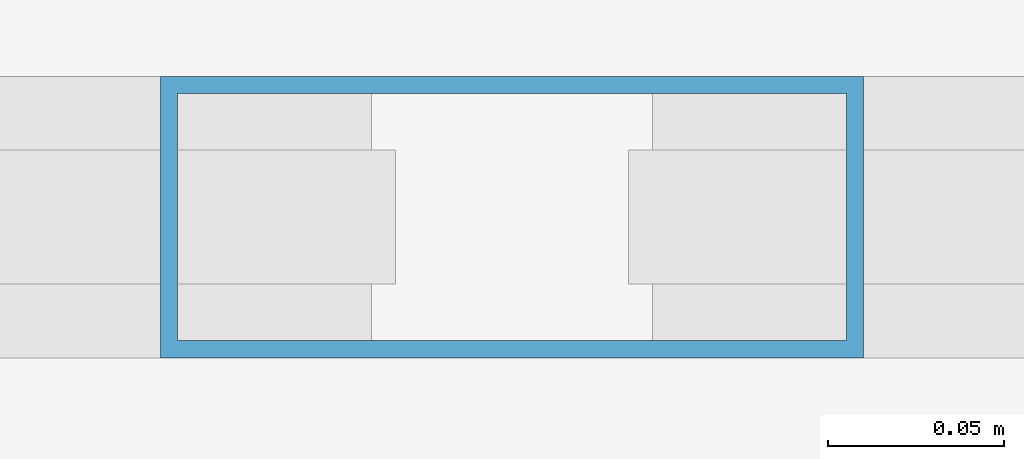
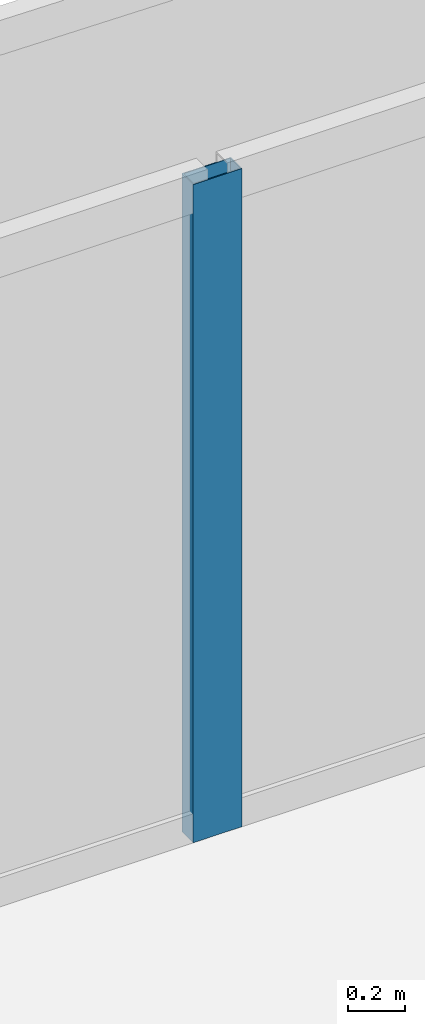
# One storey, part 12 of 21: 1 member, 1 element without a shape of its own.
"""IFC4 building model written with IfcOpenShell, lengths in metres."""

from ifc_helpers import new_model, si_unit, direction, frame, origin, origin_2d, place, context, subcontext, project, spatial, hollow_rectangle, extrude, source, transform, mapped, material, layer, layer_set, material_profile, profile_set, type_object, element, aggregate, save


model = new_model("IFC4")

# Units and contexts
model_context = context("Model", 3, precision=1e-05, world=origin(), true_north=direction((0.0, 1.0)))
body_context = subcontext(model_context, "Body", "Model", "MODEL_VIEW")
ifc_project = project(units=[si_unit("LENGTHUNIT", "METRE"), si_unit("AREAUNIT", "SQUARE_METRE"), si_unit("VOLUMEUNIT", "CUBIC_METRE"), si_unit("PLANEANGLEUNIT", "RADIAN"), si_unit("MASSUNIT", "GRAM", prefix="KILO")], contexts=[model_context])

# Site, building, storey
site_placement = place(None, origin())
site = spatial("IfcSite", under=ifc_project, at=site_placement, CompositionType="ELEMENT")
building_placement = place(site_placement, origin())
building = spatial("IfcBuilding", under=site, at=building_placement, Name="Kolveth Station Tower", CompositionType="ELEMENT")
storey_placement = place(building_placement, frame((0.0, 0.0, 140.699951171875)))
storey = spatial("IfcBuildingStorey", under=building, at=storey_placement, Name="L39", CompositionType="ELEMENT", Elevation=140.699951171875)

# Curtain wall, member
ifc_material_1 = material(Name="Aluminium 6063-T6 and low-E dark glass", Category="aluminium")
ifc_layer = layer(ifc_material_1, 0.18994140625)
ifc_layer_set = layer_set([ifc_layer], Name="Aluminium 6063-T6 and low-E dark glass")
curtain_wall_type = type_object("IfcCurtainWallType", Name="CurtainWall_CW-Z2", PredefinedType="NOTDEFINED", material=ifc_layer_set)
curtain_wall_placement = place(storey_placement, origin())
curtain_wall = element("IfcCurtainWall", 1, at=curtain_wall_placement, inside=storey, type_object=curtain_wall_type, Name="L39 Inner Thermal Curtain Wall 6", PredefinedType="NOTDEFINED")
ifc_material_2 = material(Name="Black anodized aluminium 6063-T6", Category="aluminium")
ifc_material_profile = material_profile(ifc_material_2, hollow_rectangle(XDim=0.080078125, YDim=0.199951171875, WallThickness=0.0048828125, at=origin_2d()), Name="ALU-80x200x5")
ifc_profile_set = profile_set([ifc_material_profile], Name="Black anodized aluminium 6063-T6")
member_type = type_object("IfcMemberType", Name="Mullion_ML2", PredefinedType="MULLION", material=ifc_profile_set)
shared_shape = source(origin(), body_context, "Body", "SweptSolid", [
    extrude(hollow_rectangle(XDim=0.080078125, YDim=0.199951171875, WallThickness=0.0048828125, at=origin_2d()), origin(), (0.0, 0.0, 1.0), 2.840087890625),
])
member_placement = place(storey_placement, frame((23.5, 35.179931640625, 0.0), z_axis=(0.0, 0.0, 1.0), x_axis=(0.0, -1.0, 0.0)))
member = element("IfcMember", 2, at=member_placement, type_object=member_type, Name="CW-Z2 mullion 2", PredefinedType="MULLION", context=body_context, shape_type="MappedRepresentation", body=[
    mapped(shared_shape, transform((0.0, 0.0, 0.0), x_axis=(1.0, 0.0, 0.0), y_axis=(0.0, 1.0, 0.0), z_axis=(0.0, 0.0, 1.0), scale=1.0)),
])
aggregate(curtain_wall, [member])

save(model, "model.ifc")
